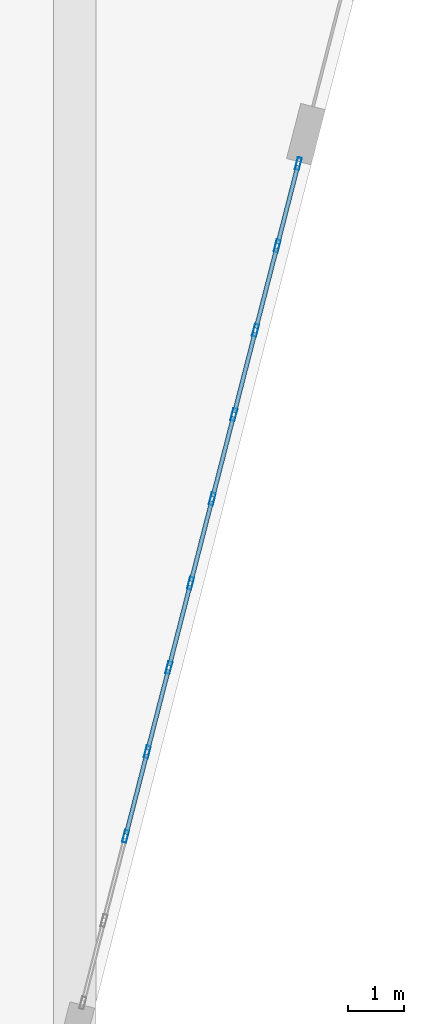
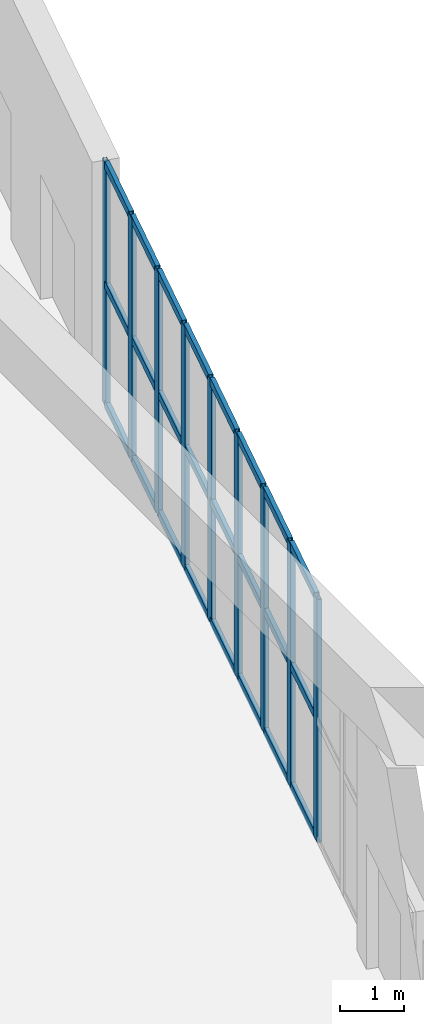
# One storey, part 20 of 35: 33 members, 1 element without a shape of its own.
"""IFC4 building model written with IfcOpenShell, lengths in metres."""

from ifc_helpers import new_model, si_unit, direction, frame, origin, origin_2d, place, context, subcontext, project, spatial, hollow_rectangle, extrude, material, layer, layer_set, material_profile, profile_set, type_object, element, aggregate, save


model = new_model("IFC4")

# Units and contexts
model_context = context("Model", 3, precision=1e-05, world=origin(), true_north=direction((0.0, 1.0)))
body_context = subcontext(model_context, "Body", "Model", "MODEL_VIEW")
ifc_project = project(units=[si_unit("LENGTHUNIT", "METRE"), si_unit("AREAUNIT", "SQUARE_METRE"), si_unit("VOLUMEUNIT", "CUBIC_METRE"), si_unit("PLANEANGLEUNIT", "RADIAN"), si_unit("MASSUNIT", "GRAM", prefix="KILO")], contexts=[model_context])

# Site, building, storey
site_placement = place(None, origin())
site = spatial("IfcSite", under=ifc_project, at=site_placement, CompositionType="ELEMENT")
building_placement = place(site_placement, origin())
building = spatial("IfcBuilding", under=site, at=building_placement, Name="Kilnhurst Terrace Hotel", CompositionType="ELEMENT")
storey_placement = place(building_placement, origin())
storey = spatial("IfcBuildingStorey", under=building, at=storey_placement, Name="L00", CompositionType="ELEMENT", Elevation=0.0)

# Curtain wall, members
ifc_material_1 = material(Name="Anodized Aluminium Alloy 6063-T6 and Low-E Glass", Category="aluminium")
ifc_layer = layer(ifc_material_1, 0.219970703125, Name="Anodized Aluminium Alloy 6063-T6 and Low-E Glass")
ifc_layer_set = layer_set([ifc_layer], Name="Anodized Aluminium Alloy 6063-T6 and Low-E Glass")
curtain_wall_type = type_object("IfcCurtainWallType", Name="CW-POD-LOBBY", PredefinedType="NOTDEFINED", material=ifc_layer_set)
curtain_wall_placement = place(storey_placement, origin())
curtain_wall = element("IfcCurtainWall", 1, at=curtain_wall_placement, inside=storey, type_object=curtain_wall_type, Name="L00 Curtain Wall CW-L00-F2-1", PredefinedType="NOTDEFINED")
ifc_material_2 = material(Name="Extruded Aluminium Alloy 6063-T6", Category="aluminium")
ifc_material_profile_1 = material_profile(ifc_material_2, hollow_rectangle(XDim=0.074951171875, YDim=0.219970703125, WallThickness=0.00390625, at=origin_2d()), Name="CWM75X220")
ifc_profile_set_1 = profile_set([ifc_material_profile_1], Name="Extruded Aluminium Alloy 6063-T6")
member_type_1 = type_object("IfcMemberType", Name="MEM-CWM75X220", PredefinedType="MULLION", material=ifc_profile_set_1)
member_1_placement = place(storey_placement, frame((28.50048828125, -18.75, 0.0), z_axis=(0.0, 0.0, 1.0), x_axis=(-0.968570392874, 0.248739610933, 0.0)))
member_1 = element("IfcMember", 2, at=member_1_placement, type_object=member_type_1, Name="CWL-1 mullion 3", PredefinedType="MULLION", context=body_context, shape_type="SweptSolid", body=[
    extrude(hollow_rectangle(XDim=0.074951171875, YDim=0.219970703125, WallThickness=0.00390625, at=origin_2d()), origin(), (0.0, 0.0, 1.0), 4.64990234375),
])
member_2_placement = place(storey_placement, frame((28.884521484375, -17.255126953125, 0.0), z_axis=(0.0, 0.0, 1.0), x_axis=(-0.968570392874, 0.248739610933, 0.0)))
member_2 = element("IfcMember", 3, at=member_2_placement, type_object=member_type_1, Name="CWL-1 mullion 4", PredefinedType="MULLION", context=body_context, shape_type="SweptSolid", body=[
    extrude(hollow_rectangle(XDim=0.074951171875, YDim=0.219970703125, WallThickness=0.00390625, at=origin_2d()), origin(), (0.0, 0.0, 1.0), 4.64990234375),
])
member_3_placement = place(storey_placement, frame((29.268310546875, -15.76025390625, 0.0), z_axis=(0.0, 0.0, 1.0), x_axis=(-0.968570392874, 0.248739610933, 0.0)))
member_3 = element("IfcMember", 4, at=member_3_placement, type_object=member_type_1, Name="CWL-1 mullion 5", PredefinedType="MULLION", context=body_context, shape_type="SweptSolid", body=[
    extrude(hollow_rectangle(XDim=0.074951171875, YDim=0.219970703125, WallThickness=0.00390625, at=origin_2d()), origin(), (0.0, 0.0, 1.0), 4.64990234375),
])
member_4_placement = place(storey_placement, frame((29.65234375, -14.26513671875, 0.0), z_axis=(0.0, 0.0, 1.0), x_axis=(-0.968570392874, 0.248739610933, 0.0)))
member_4 = element("IfcMember", 5, at=member_4_placement, type_object=member_type_1, Name="CWL-1 mullion 6", PredefinedType="MULLION", context=body_context, shape_type="SweptSolid", body=[
    extrude(hollow_rectangle(XDim=0.074951171875, YDim=0.219970703125, WallThickness=0.00390625, at=origin_2d()), origin(), (0.0, 0.0, 1.0), 4.64990234375),
])
member_5_placement = place(storey_placement, frame((30.036376953125, -12.770263671875, 0.0), z_axis=(0.0, 0.0, 1.0), x_axis=(-0.968570392874, 0.248739610933, 0.0)))
member_5 = element("IfcMember", 6, at=member_5_placement, type_object=member_type_1, Name="CWL-1 mullion 7", PredefinedType="MULLION", context=body_context, shape_type="SweptSolid", body=[
    extrude(hollow_rectangle(XDim=0.074951171875, YDim=0.219970703125, WallThickness=0.00390625, at=origin_2d()), origin(), (0.0, 0.0, 1.0), 4.64990234375),
])
member_6_placement = place(storey_placement, frame((30.420166015625, -11.275146484375, 0.0), z_axis=(0.0, 0.0, 1.0), x_axis=(-0.968570392874, 0.248739610933, 0.0)))
member_6 = element("IfcMember", 7, at=member_6_placement, type_object=member_type_1, Name="CWL-1 mullion 8", PredefinedType="MULLION", context=body_context, shape_type="SweptSolid", body=[
    extrude(hollow_rectangle(XDim=0.074951171875, YDim=0.219970703125, WallThickness=0.00390625, at=origin_2d()), origin(), (0.0, 0.0, 1.0), 4.64990234375),
])
member_7_placement = place(storey_placement, frame((30.80419921875, -9.7802734375, 0.0), z_axis=(0.0, 0.0, 1.0), x_axis=(-0.968570392874, 0.248739610933, 0.0)))
member_7 = element("IfcMember", 8, at=member_7_placement, type_object=member_type_1, Name="CWL-1 mullion 9", PredefinedType="MULLION", context=body_context, shape_type="SweptSolid", body=[
    extrude(hollow_rectangle(XDim=0.074951171875, YDim=0.219970703125, WallThickness=0.00390625, at=origin_2d()), origin(), (0.0, 0.0, 1.0), 4.64990234375),
])
member_8_placement = place(storey_placement, frame((31.18798828125, -8.28515625, 0.0), z_axis=(0.0, 0.0, 1.0), x_axis=(-0.968570392874, 0.248739610933, 0.0)))
member_8 = element("IfcMember", 9, at=member_8_placement, type_object=member_type_1, Name="CWL-1 mullion 10", PredefinedType="MULLION", context=body_context, shape_type="SweptSolid", body=[
    extrude(hollow_rectangle(XDim=0.074951171875, YDim=0.219970703125, WallThickness=0.00390625, at=origin_2d()), origin(), (0.0, 0.0, 1.0), 4.64990234375),
])
member_9_placement = place(storey_placement, frame((31.562744140625, -6.826416015625, 0.0), z_axis=(0.0, 0.0, 1.0), x_axis=(-0.968570392874, 0.248739610933, 0.0)))
member_9 = element("IfcMember", 10, at=member_9_placement, type_object=member_type_1, Name="CWL-1 mullion 11", PredefinedType="MULLION", context=body_context, shape_type="SweptSolid", body=[
    extrude(hollow_rectangle(XDim=0.074951171875, YDim=0.219970703125, WallThickness=0.00390625, at=origin_2d()), origin(), (0.0, 0.0, 1.0), 4.64990234375),
])
ifc_material_profile_2 = material_profile(ifc_material_2, hollow_rectangle(XDim=0.074951171875, YDim=0.14990234375, WallThickness=0.00390625, at=origin_2d()), Name="CWT75X150")
ifc_profile_set_2 = profile_set([ifc_material_profile_2], Name="Extruded Aluminium Alloy 6063-T6")
member_type_2 = type_object("IfcMemberType", Name="MEM-CWT75X150", PredefinedType="USERDEFINED", material=ifc_profile_set_2)
member_10_placement = place(storey_placement, frame((28.510009765625, -18.7138671875, 0.03759765625), z_axis=(0.24871132416, 0.968577656791, 0.0), x_axis=(-0.968577656791, 0.24871132416, 0.0)))
member_10 = element("IfcMember", 11, at=member_10_placement, type_object=member_type_2, Name="CWL-1 transom 3.1", ObjectType="TRANSOM", PredefinedType="USERDEFINED", context=body_context, shape_type="SweptSolid", body=[
    extrude(hollow_rectangle(XDim=0.074951171875, YDim=0.14990234375, WallThickness=0.00390625, at=origin_2d()), origin(), (0.0, 0.0, 1.0), 1.468505859375),
])
member_11_placement = place(storey_placement, frame((28.510009765625, -18.7138671875, 2.324951171875), z_axis=(0.24871132416, 0.968577656791, 0.0), x_axis=(-0.968577656791, 0.24871132416, 0.0)))
member_11 = element("IfcMember", 12, at=member_11_placement, type_object=member_type_2, Name="CWL-1 transom 3.2", ObjectType="TRANSOM", PredefinedType="USERDEFINED", context=body_context, shape_type="SweptSolid", body=[
    extrude(hollow_rectangle(XDim=0.074951171875, YDim=0.14990234375, WallThickness=0.00390625, at=origin_2d()), origin(), (0.0, 0.0, 1.0), 1.468505859375),
])
member_12_placement = place(storey_placement, frame((28.510009765625, -18.7138671875, 4.612548828125), z_axis=(0.24871132416, 0.968577656791, 0.0), x_axis=(-0.968577656791, 0.24871132416, 0.0)))
member_12 = element("IfcMember", 13, at=member_12_placement, type_object=member_type_2, Name="CWL-1 transom 3.3", ObjectType="TRANSOM", PredefinedType="USERDEFINED", context=body_context, shape_type="SweptSolid", body=[
    extrude(hollow_rectangle(XDim=0.074951171875, YDim=0.14990234375, WallThickness=0.00390625, at=origin_2d()), origin(), (0.0, 0.0, 1.0), 1.468505859375),
])
member_13_placement = place(storey_placement, frame((28.893798828125, -17.21875, 0.03759765625), z_axis=(0.24871132416, 0.968577656791, 0.0), x_axis=(-0.968577656791, 0.24871132416, 0.0)))
member_13 = element("IfcMember", 14, at=member_13_placement, type_object=member_type_2, Name="CWL-1 transom 4.1", ObjectType="TRANSOM", PredefinedType="USERDEFINED", context=body_context, shape_type="SweptSolid", body=[
    extrude(hollow_rectangle(XDim=0.074951171875, YDim=0.14990234375, WallThickness=0.00390625, at=origin_2d()), origin(), (0.0, 0.0, 1.0), 1.468505859375),
])
member_14_placement = place(storey_placement, frame((28.893798828125, -17.21875, 2.324951171875), z_axis=(0.24871132416, 0.968577656791, 0.0), x_axis=(-0.968577656791, 0.24871132416, 0.0)))
member_14 = element("IfcMember", 15, at=member_14_placement, type_object=member_type_2, Name="CWL-1 transom 4.2", ObjectType="TRANSOM", PredefinedType="USERDEFINED", context=body_context, shape_type="SweptSolid", body=[
    extrude(hollow_rectangle(XDim=0.074951171875, YDim=0.14990234375, WallThickness=0.00390625, at=origin_2d()), origin(), (0.0, 0.0, 1.0), 1.468505859375),
])
member_15_placement = place(storey_placement, frame((28.893798828125, -17.21875, 4.612548828125), z_axis=(0.24871132416, 0.968577656791, 0.0), x_axis=(-0.968577656791, 0.24871132416, 0.0)))
member_15 = element("IfcMember", 16, at=member_15_placement, type_object=member_type_2, Name="CWL-1 transom 4.3", ObjectType="TRANSOM", PredefinedType="USERDEFINED", context=body_context, shape_type="SweptSolid", body=[
    extrude(hollow_rectangle(XDim=0.074951171875, YDim=0.14990234375, WallThickness=0.00390625, at=origin_2d()), origin(), (0.0, 0.0, 1.0), 1.468505859375),
])
member_16_placement = place(storey_placement, frame((29.27783203125, -15.723876953125, 0.03759765625), z_axis=(0.24871132416, 0.968577656791, 0.0), x_axis=(-0.968577656791, 0.24871132416, 0.0)))
member_16 = element("IfcMember", 17, at=member_16_placement, type_object=member_type_2, Name="CWL-1 transom 5.1", ObjectType="TRANSOM", PredefinedType="USERDEFINED", context=body_context, shape_type="SweptSolid", body=[
    extrude(hollow_rectangle(XDim=0.074951171875, YDim=0.14990234375, WallThickness=0.00390625, at=origin_2d()), origin(), (0.0, 0.0, 1.0), 1.468505859375),
])
member_17_placement = place(storey_placement, frame((29.27783203125, -15.723876953125, 2.324951171875), z_axis=(0.24871132416, 0.968577656791, 0.0), x_axis=(-0.968577656791, 0.24871132416, 0.0)))
member_17 = element("IfcMember", 18, at=member_17_placement, type_object=member_type_2, Name="CWL-1 transom 5.2", ObjectType="TRANSOM", PredefinedType="USERDEFINED", context=body_context, shape_type="SweptSolid", body=[
    extrude(hollow_rectangle(XDim=0.074951171875, YDim=0.14990234375, WallThickness=0.00390625, at=origin_2d()), origin(), (0.0, 0.0, 1.0), 1.468505859375),
])
member_18_placement = place(storey_placement, frame((29.27783203125, -15.723876953125, 4.612548828125), z_axis=(0.24871132416, 0.968577656791, 0.0), x_axis=(-0.968577656791, 0.24871132416, 0.0)))
member_18 = element("IfcMember", 19, at=member_18_placement, type_object=member_type_2, Name="CWL-1 transom 5.3", ObjectType="TRANSOM", PredefinedType="USERDEFINED", context=body_context, shape_type="SweptSolid", body=[
    extrude(hollow_rectangle(XDim=0.074951171875, YDim=0.14990234375, WallThickness=0.00390625, at=origin_2d()), origin(), (0.0, 0.0, 1.0), 1.468505859375),
])
member_19_placement = place(storey_placement, frame((29.66162109375, -14.228759765625, 0.03759765625), z_axis=(0.24871132416, 0.968577656791, 0.0), x_axis=(-0.968577656791, 0.24871132416, 0.0)))
member_19 = element("IfcMember", 20, at=member_19_placement, type_object=member_type_2, Name="CWL-1 transom 6.1", ObjectType="TRANSOM", PredefinedType="USERDEFINED", context=body_context, shape_type="SweptSolid", body=[
    extrude(hollow_rectangle(XDim=0.074951171875, YDim=0.14990234375, WallThickness=0.00390625, at=origin_2d()), origin(), (0.0, 0.0, 1.0), 1.468505859375),
])
member_20_placement = place(storey_placement, frame((29.66162109375, -14.228759765625, 2.324951171875), z_axis=(0.24871132416, 0.968577656791, 0.0), x_axis=(-0.968577656791, 0.24871132416, 0.0)))
member_20 = element("IfcMember", 21, at=member_20_placement, type_object=member_type_2, Name="CWL-1 transom 6.2", ObjectType="TRANSOM", PredefinedType="USERDEFINED", context=body_context, shape_type="SweptSolid", body=[
    extrude(hollow_rectangle(XDim=0.074951171875, YDim=0.14990234375, WallThickness=0.00390625, at=origin_2d()), origin(), (0.0, 0.0, 1.0), 1.468505859375),
])
member_21_placement = place(storey_placement, frame((29.66162109375, -14.228759765625, 4.612548828125), z_axis=(0.24871132416, 0.968577656791, 0.0), x_axis=(-0.968577656791, 0.24871132416, 0.0)))
member_21 = element("IfcMember", 22, at=member_21_placement, type_object=member_type_2, Name="CWL-1 transom 6.3", ObjectType="TRANSOM", PredefinedType="USERDEFINED", context=body_context, shape_type="SweptSolid", body=[
    extrude(hollow_rectangle(XDim=0.074951171875, YDim=0.14990234375, WallThickness=0.00390625, at=origin_2d()), origin(), (0.0, 0.0, 1.0), 1.468505859375),
])
member_22_placement = place(storey_placement, frame((30.045654296875, -12.73388671875, 0.03759765625), z_axis=(0.24871132416, 0.968577656791, 0.0), x_axis=(-0.968577656791, 0.24871132416, 0.0)))
member_22 = element("IfcMember", 23, at=member_22_placement, type_object=member_type_2, Name="CWL-1 transom 7.1", ObjectType="TRANSOM", PredefinedType="USERDEFINED", context=body_context, shape_type="SweptSolid", body=[
    extrude(hollow_rectangle(XDim=0.074951171875, YDim=0.14990234375, WallThickness=0.00390625, at=origin_2d()), origin(), (0.0, 0.0, 1.0), 1.468505859375),
])
member_23_placement = place(storey_placement, frame((30.045654296875, -12.73388671875, 2.324951171875), z_axis=(0.24871132416, 0.968577656791, 0.0), x_axis=(-0.968577656791, 0.24871132416, 0.0)))
member_23 = element("IfcMember", 24, at=member_23_placement, type_object=member_type_2, Name="CWL-1 transom 7.2", ObjectType="TRANSOM", PredefinedType="USERDEFINED", context=body_context, shape_type="SweptSolid", body=[
    extrude(hollow_rectangle(XDim=0.074951171875, YDim=0.14990234375, WallThickness=0.00390625, at=origin_2d()), origin(), (0.0, 0.0, 1.0), 1.468505859375),
])
member_24_placement = place(storey_placement, frame((30.045654296875, -12.73388671875, 4.612548828125), z_axis=(0.24871132416, 0.968577656791, 0.0), x_axis=(-0.968577656791, 0.24871132416, 0.0)))
member_24 = element("IfcMember", 25, at=member_24_placement, type_object=member_type_2, Name="CWL-1 transom 7.3", ObjectType="TRANSOM", PredefinedType="USERDEFINED", context=body_context, shape_type="SweptSolid", body=[
    extrude(hollow_rectangle(XDim=0.074951171875, YDim=0.14990234375, WallThickness=0.00390625, at=origin_2d()), origin(), (0.0, 0.0, 1.0), 1.468505859375),
])
member_25_placement = place(storey_placement, frame((30.429443359375, -11.23876953125, 0.03759765625), z_axis=(0.248867281536, 0.968537596679, 0.0), x_axis=(-0.968537596679, 0.248867281536, 0.0)))
member_25 = element("IfcMember", 26, at=member_25_placement, type_object=member_type_2, Name="CWL-1 transom 8.1", ObjectType="TRANSOM", PredefinedType="USERDEFINED", context=body_context, shape_type="SweptSolid", body=[
    extrude(hollow_rectangle(XDim=0.074951171875, YDim=0.14990234375, WallThickness=0.00390625, at=origin_2d()), origin(), (0.0, 0.0, 1.0), 1.468505859375),
])
member_26_placement = place(storey_placement, frame((30.429443359375, -11.23876953125, 2.324951171875), z_axis=(0.248867281536, 0.968537596679, 0.0), x_axis=(-0.968537596679, 0.248867281536, 0.0)))
member_26 = element("IfcMember", 27, at=member_26_placement, type_object=member_type_2, Name="CWL-1 transom 8.2", ObjectType="TRANSOM", PredefinedType="USERDEFINED", context=body_context, shape_type="SweptSolid", body=[
    extrude(hollow_rectangle(XDim=0.074951171875, YDim=0.14990234375, WallThickness=0.00390625, at=origin_2d()), origin(), (0.0, 0.0, 1.0), 1.468505859375),
])
member_27_placement = place(storey_placement, frame((30.429443359375, -11.23876953125, 4.612548828125), z_axis=(0.248867281536, 0.968537596679, 0.0), x_axis=(-0.968537596679, 0.248867281536, 0.0)))
member_27 = element("IfcMember", 28, at=member_27_placement, type_object=member_type_2, Name="CWL-1 transom 8.3", ObjectType="TRANSOM", PredefinedType="USERDEFINED", context=body_context, shape_type="SweptSolid", body=[
    extrude(hollow_rectangle(XDim=0.074951171875, YDim=0.14990234375, WallThickness=0.00390625, at=origin_2d()), origin(), (0.0, 0.0, 1.0), 1.468505859375),
])
member_28_placement = place(storey_placement, frame((30.8134765625, -9.743896484375, 0.03759765625), z_axis=(0.24871132416, 0.968577656791, 0.0), x_axis=(-0.968577656791, 0.24871132416, 0.0)))
member_28 = element("IfcMember", 29, at=member_28_placement, type_object=member_type_2, Name="CWL-1 transom 9.1", ObjectType="TRANSOM", PredefinedType="USERDEFINED", context=body_context, shape_type="SweptSolid", body=[
    extrude(hollow_rectangle(XDim=0.074951171875, YDim=0.14990234375, WallThickness=0.00390625, at=origin_2d()), origin(), (0.0, 0.0, 1.0), 1.468505859375),
])
member_29_placement = place(storey_placement, frame((30.8134765625, -9.743896484375, 2.324951171875), z_axis=(0.24871132416, 0.968577656791, 0.0), x_axis=(-0.968577656791, 0.24871132416, 0.0)))
member_29 = element("IfcMember", 30, at=member_29_placement, type_object=member_type_2, Name="CWL-1 transom 9.2", ObjectType="TRANSOM", PredefinedType="USERDEFINED", context=body_context, shape_type="SweptSolid", body=[
    extrude(hollow_rectangle(XDim=0.074951171875, YDim=0.14990234375, WallThickness=0.00390625, at=origin_2d()), origin(), (0.0, 0.0, 1.0), 1.468505859375),
])
member_30_placement = place(storey_placement, frame((30.8134765625, -9.743896484375, 4.612548828125), z_axis=(0.24871132416, 0.968577656791, 0.0), x_axis=(-0.968577656791, 0.24871132416, 0.0)))
member_30 = element("IfcMember", 31, at=member_30_placement, type_object=member_type_2, Name="CWL-1 transom 9.3", ObjectType="TRANSOM", PredefinedType="USERDEFINED", context=body_context, shape_type="SweptSolid", body=[
    extrude(hollow_rectangle(XDim=0.074951171875, YDim=0.14990234375, WallThickness=0.00390625, at=origin_2d()), origin(), (0.0, 0.0, 1.0), 1.468505859375),
])
member_31_placement = place(storey_placement, frame((31.197509765625, -8.248779296875, 0.03759765625), z_axis=(0.248592907807, 0.968608056021, 0.0), x_axis=(-0.968608056021, 0.248592907807, 0.0)))
member_31 = element("IfcMember", 32, at=member_31_placement, type_object=member_type_2, Name="CWL-1 transom 10.1", ObjectType="TRANSOM", PredefinedType="USERDEFINED", context=body_context, shape_type="SweptSolid", body=[
    extrude(hollow_rectangle(XDim=0.074951171875, YDim=0.14990234375, WallThickness=0.00390625, at=origin_2d()), origin(), (0.0, 0.0, 1.0), 1.430908203125),
])
member_32_placement = place(storey_placement, frame((31.197509765625, -8.248779296875, 2.324951171875), z_axis=(0.248592907807, 0.968608056021, 0.0), x_axis=(-0.968608056021, 0.248592907807, 0.0)))
member_32 = element("IfcMember", 33, at=member_32_placement, type_object=member_type_2, Name="CWL-1 transom 10.2", ObjectType="TRANSOM", PredefinedType="USERDEFINED", context=body_context, shape_type="SweptSolid", body=[
    extrude(hollow_rectangle(XDim=0.074951171875, YDim=0.14990234375, WallThickness=0.00390625, at=origin_2d()), origin(), (0.0, 0.0, 1.0), 1.430908203125),
])
member_33_placement = place(storey_placement, frame((31.197509765625, -8.248779296875, 4.612548828125), z_axis=(0.248592907807, 0.968608056021, 0.0), x_axis=(-0.968608056021, 0.248592907807, 0.0)))
member_33 = element("IfcMember", 34, at=member_33_placement, type_object=member_type_2, Name="CWL-1 transom 10.3", ObjectType="TRANSOM", PredefinedType="USERDEFINED", context=body_context, shape_type="SweptSolid", body=[
    extrude(hollow_rectangle(XDim=0.074951171875, YDim=0.14990234375, WallThickness=0.00390625, at=origin_2d()), origin(), (0.0, 0.0, 1.0), 1.430908203125),
])
aggregate(curtain_wall, [member_1, member_2, member_3, member_4, member_5, member_6, member_7, member_8, member_9, member_10, member_11, member_12, member_13, member_14, member_15, member_16, member_17, member_18, member_19, member_20, member_21, member_22, member_23, member_24, member_25, member_26, member_27, member_28, member_29, member_30, member_31, member_32, member_33])

save(model, "model.ifc")
